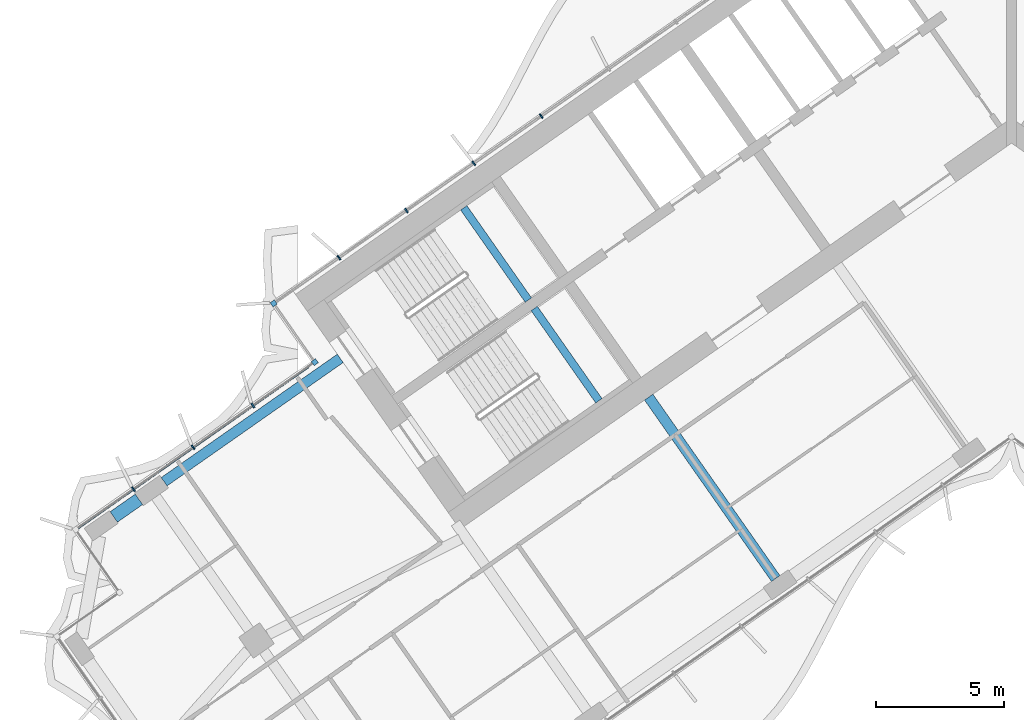
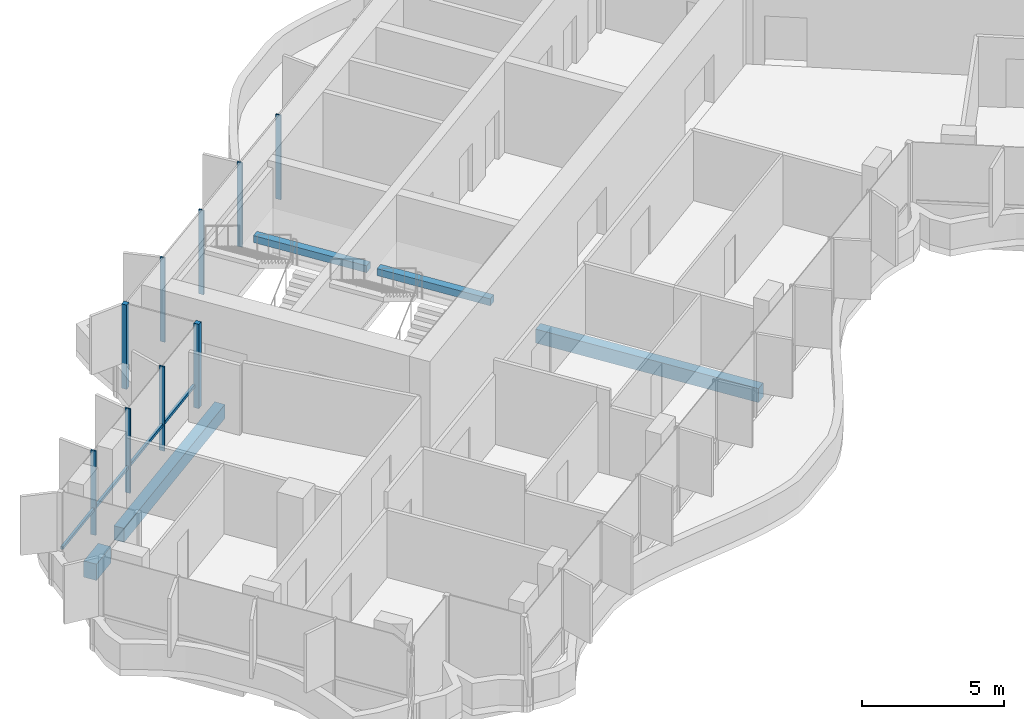
# One storey, part 4 of 23: 10 members, 5 beams, 2 elements without a shape of their own.
"""IFC4 building model written with IfcOpenShell, lengths in metres."""

from ifc_helpers import new_model, si_unit, direction, frame, origin, origin_2d, place, context, subcontext, project, spatial, rectangle, extrude, material, material_profile, profile_set, type_object, element, aggregate, save


model = new_model("IFC4")

# Units and contexts
model_context = context("Model", 3, precision=1e-05, world=origin(), true_north=direction((0.0, 1.0)))
body_context = subcontext(model_context, "Body", "Model", "MODEL_VIEW")
ifc_project = project(units=[si_unit("LENGTHUNIT", "METRE"), si_unit("AREAUNIT", "SQUARE_METRE"), si_unit("VOLUMEUNIT", "CUBIC_METRE"), si_unit("PLANEANGLEUNIT", "RADIAN"), si_unit("MASSUNIT", "GRAM", prefix="KILO")], contexts=[model_context])

# Site, building, storey
site_placement = place(None, origin())
site = spatial("IfcSite", under=ifc_project, at=site_placement, CompositionType="ELEMENT")
building_placement = place(site_placement, origin())
building = spatial("IfcBuilding", under=site, at=building_placement, Name="Tel Ilan Convention Tower", CompositionType="ELEMENT")
storey_placement = place(building_placement, frame((0.0, 0.0, 190.5)))
storey = spatial("IfcBuildingStorey", under=building, at=storey_placement, Name="L44", CompositionType="ELEMENT", Elevation=190.5)

# Beams
ifc_material_1 = material(Name="Concrete C40/50", Category="concrete")
ifc_material_profile_1 = material_profile(ifc_material_1, rectangle(XDim=0.39990234375, YDim=0.60009765625, at=origin_2d()), Name="RC 400x600")
ifc_profile_set_1 = profile_set([ifc_material_profile_1], Name="Concrete C40/50")
beam_type_1 = type_object("IfcBeamType", Name="Beam RC 400x600 Concrete C40/50", PredefinedType="BEAM", material=ifc_profile_set_1)
beam_1_placement = place(storey_placement, frame((-33.09912109375, -14.44775390625, -0.580078125), z_axis=(0.819147254605, 0.573583276668, 0.0), x_axis=(-0.573583276668, 0.819147254605, 0.0)))
element("IfcBeam", 1, at=beam_1_placement, inside=storey, type_object=beam_type_1, Name="L44 beam W-W-B4-core", PredefinedType="BEAM", context=body_context, shape_type="SweptSolid", body=[
    extrude(rectangle(XDim=0.39990234375, YDim=0.60009765625, at=origin_2d()), origin(), (0.0, 0.0, 1.0), 8.400146484375),
])
beam_2_placement = place(storey_placement, frame((-9.209716796875, -18.229248046875, -0.580078125), z_axis=(-0.573574099654, 0.819153680457, 0.0), x_axis=(-0.819153680457, -0.573574099654, 0.0)))
element("IfcBeam", 2, at=beam_2_placement, inside=storey, type_object=beam_type_1, Name="L44 beam W-W-F2-core", PredefinedType="BEAM", context=body_context, shape_type="SweptSolid", body=[
    extrude(rectangle(XDim=0.39990234375, YDim=0.60009765625, at=origin_2d()), origin(), (0.0, 0.0, 1.0), 8.64990234375),
])
ifc_material_2 = material(Name="Concrete C40/50", Category="concrete")
ifc_material_profile_2 = material_profile(ifc_material_2, rectangle(XDim=0.5, YDim=0.699951171875, at=origin_2d()), Name="RC 500x700")
ifc_profile_set_2 = profile_set([ifc_material_profile_2], Name="Concrete C40/50")
beam_type_2 = type_object("IfcBeamType", Name="Beam RC 500x700 Concrete C40/50", PredefinedType="BEAM", material=ifc_profile_set_2)
beam_3_placement = place(storey_placement, frame((-35.06494140625, -15.82421875, -0.6298828125), z_axis=(0.819155442668, 0.573571582932, 0.0), x_axis=(-0.573571582932, 0.819155442668, 0.0)))
element("IfcBeam", 3, at=beam_3_placement, inside=storey, type_object=beam_type_2, Name="L44 beam W-W-BC-W-B4", PredefinedType="BEAM", context=body_context, shape_type="SweptSolid", body=[
    extrude(rectangle(XDim=0.5, YDim=0.699951171875, at=origin_2d()), origin(), (0.0, 0.0, 1.0), 1.199951171875),
])

# Curtain wall, members
ifc_material_3 = material(Name="Aluminium, bronze anodised", Category="aluminium")
curtain_wall_type_1 = type_object("IfcCurtainWallType", Name="CW2 STICK CURTAIN WALL, SPANDREL PANELS", PredefinedType="NOTDEFINED", material=ifc_material_3)
curtain_wall_1_placement = place(storey_placement, origin())
curtain_wall_1 = element("IfcCurtainWall", 4, at=curtain_wall_1_placement, inside=storey, type_object=curtain_wall_type_1, Name="Curtain wall CW2-34.03", PredefinedType="NOTDEFINED")
ifc_material_4 = material(Name="Aluminium, bronze anodised", Category="aluminium")
ifc_material_profile_3 = material_profile(ifc_material_4, rectangle(XDim=0.199951171875, YDim=0.199951171875, at=origin_2d()), Name="CW CORNER MULLION 200x200")
ifc_profile_set_3 = profile_set([ifc_material_profile_3], Name="Aluminium, bronze anodised")
member_type_1 = type_object("IfcMemberType", Name="CW CORNER MULLION 200x200", PredefinedType="MULLION", material=ifc_profile_set_3)
member_1_placement = place(storey_placement, frame((-28.819580078125, -7.483642578125, 0.0), z_axis=(0.0, 0.0, 1.0), x_axis=(-0.819152044289, -0.573576436351, 0.0)))
member_1 = element("IfcMember", 5, at=member_1_placement, type_object=member_type_1, Name="Corner mullion", PredefinedType="MULLION", context=body_context, shape_type="SweptSolid", body=[
    extrude(rectangle(XDim=0.199951171875, YDim=0.199951171875, at=origin_2d()), origin(), (0.0, 0.0, 1.0), 3.6201171875),
])
member_2_placement = place(storey_placement, frame((-27.213623046875, -9.77734375, 0.0), z_axis=(0.0, 0.0, 1.0), x_axis=(0.573576436351, -0.819152044289, 0.0)))
member_2 = element("IfcMember", 6, at=member_2_placement, type_object=member_type_1, Name="Corner mullion", PredefinedType="MULLION", context=body_context, shape_type="SweptSolid", body=[
    extrude(rectangle(XDim=0.199951171875, YDim=0.199951171875, at=origin_2d()), origin(), (0.0, 0.0, 1.0), 3.6201171875),
])
ifc_material_5 = material(Name="Aluminium, bronze anodised", Category="aluminium")
ifc_material_profile_4 = material_profile(ifc_material_5, rectangle(XDim=0.06005859375, YDim=0.199951171875, at=origin_2d()), Name="CW MULLION 60x200")
ifc_profile_set_4 = profile_set([ifc_material_profile_4], Name="Aluminium, bronze anodised")
member_type_2 = type_object("IfcMemberType", Name="CW MULLION 60x200", PredefinedType="MULLION", material=ifc_profile_set_4)
member_3_placement = place(storey_placement, frame((-18.37109375, -0.16748046875, 0.0), z_axis=(0.0, 0.0, 1.0), x_axis=(-0.819152044289, -0.573576436351, 0.0)))
member_3 = element("IfcMember", 7, at=member_3_placement, type_object=member_type_2, Name="Mullion", PredefinedType="MULLION", context=body_context, shape_type="SweptSolid", body=[
    extrude(rectangle(XDim=0.06005859375, YDim=0.199951171875, at=origin_2d()), origin(), (0.0, 0.0, 1.0), 3.6201171875),
])
member_4_placement = place(storey_placement, frame((-21.003662109375, -2.0107421875, 0.0), z_axis=(0.0, 0.0, 1.0), x_axis=(-0.819152044289, -0.573576436351, 0.0)))
member_4 = element("IfcMember", 8, at=member_4_placement, type_object=member_type_2, Name="Mullion", PredefinedType="MULLION", context=body_context, shape_type="SweptSolid", body=[
    extrude(rectangle(XDim=0.06005859375, YDim=0.199951171875, at=origin_2d()), origin(), (0.0, 0.0, 1.0), 3.6201171875),
])
member_5_placement = place(storey_placement, frame((-23.63623046875, -3.854248046875, 0.0), z_axis=(0.0, 0.0, 1.0), x_axis=(-0.819152044289, -0.573576436351, 0.0)))
member_5 = element("IfcMember", 9, at=member_5_placement, type_object=member_type_2, Name="Mullion", PredefinedType="MULLION", context=body_context, shape_type="SweptSolid", body=[
    extrude(rectangle(XDim=0.06005859375, YDim=0.199951171875, at=origin_2d()), origin(), (0.0, 0.0, 1.0), 3.6201171875),
])
member_6_placement = place(storey_placement, frame((-26.268798828125, -5.697509765625, 0.0), z_axis=(0.0, 0.0, 1.0), x_axis=(-0.819152044289, -0.573576436351, 0.0)))
member_6 = element("IfcMember", 10, at=member_6_placement, type_object=member_type_2, Name="Mullion", PredefinedType="MULLION", context=body_context, shape_type="SweptSolid", body=[
    extrude(rectangle(XDim=0.06005859375, YDim=0.199951171875, at=origin_2d()), origin(), (0.0, 0.0, 1.0), 3.6201171875),
])
aggregate(curtain_wall_1, [member_3, member_4, member_5, member_6, member_1, member_2])

ifc_material_6 = material(Name="Aluminium, bronze anodised", Category="aluminium")
curtain_wall_type_2 = type_object("IfcCurtainWallType", Name="CW4 STICK CURTAIN WALL, OFFICE TINTED GLASS", PredefinedType="NOTDEFINED", material=ifc_material_6)
curtain_wall_2_placement = place(storey_placement, origin())
curtain_wall_2 = element("IfcCurtainWall", 11, at=curtain_wall_2_placement, inside=storey, type_object=curtain_wall_type_2, Name="Curtain wall CW4-34.04", PredefinedType="NOTDEFINED")
member_7_placement = place(storey_placement, frame((-29.630126953125, -11.46923828125, 0.0), z_axis=(0.0, 0.0, 1.0), x_axis=(-0.819152044289, -0.573576436351, 0.0)))
member_7 = element("IfcMember", 12, at=member_7_placement, type_object=member_type_2, Name="Mullion", PredefinedType="MULLION", context=body_context, shape_type="SweptSolid", body=[
    extrude(rectangle(XDim=0.06005859375, YDim=0.199951171875, at=origin_2d()), origin(), (0.0, 0.0, 1.0), 3.6201171875),
])
member_8_placement = place(storey_placement, frame((-31.964599609375, -13.10400390625, 0.0), z_axis=(0.0, 0.0, 1.0), x_axis=(-0.819152044289, -0.573576436351, 0.0)))
member_8 = element("IfcMember", 13, at=member_8_placement, type_object=member_type_2, Name="Mullion", PredefinedType="MULLION", context=body_context, shape_type="SweptSolid", body=[
    extrude(rectangle(XDim=0.06005859375, YDim=0.199951171875, at=origin_2d()), origin(), (0.0, 0.0, 1.0), 3.6201171875),
])
member_9_placement = place(storey_placement, frame((-34.299072265625, -14.73876953125, 0.0), z_axis=(0.0, 0.0, 1.0), x_axis=(-0.819152044289, -0.573576436351, 0.0)))
member_9 = element("IfcMember", 14, at=member_9_placement, type_object=member_type_2, Name="Mullion", PredefinedType="MULLION", context=body_context, shape_type="SweptSolid", body=[
    extrude(rectangle(XDim=0.06005859375, YDim=0.199951171875, at=origin_2d()), origin(), (0.0, 0.0, 1.0), 3.6201171875),
])
ifc_material_7 = material(Name="Aluminium, bronze anodised", Category="aluminium")
ifc_material_profile_5 = material_profile(ifc_material_7, rectangle(XDim=0.10009765625, YDim=0.1201171875, at=origin_2d()), Name="CW TRANSOM 100x120")
ifc_profile_set_5 = profile_set([ifc_material_profile_5], Name="Aluminium, bronze anodised")
member_type_3 = type_object("IfcMemberType", Name="CW TRANSOM 100x120", PredefinedType="USERDEFINED", material=ifc_profile_set_5)
member_10_placement = place(storey_placement, frame((-27.459228515625, -9.94921875, 1.10009765625), z_axis=(-0.819154753687, -0.57357256691, 0.0), x_axis=(0.57357256691, -0.819154753687, 0.0)))
member_10 = element("IfcMember", 15, at=member_10_placement, type_object=member_type_3, Name="Transom", ObjectType="TRANSOM", PredefinedType="USERDEFINED", context=body_context, shape_type="SweptSolid", body=[
    extrude(rectangle(XDim=0.10009765625, YDim=0.1201171875, at=origin_2d()), origin(), (0.0, 0.0, 1.0), 11.0),
])
aggregate(curtain_wall_2, [member_7, member_8, member_9, member_10])

# Beams
ifc_material_8 = material(Name="Concrete C40/50", Category="concrete")
ifc_material_profile_6 = material_profile(ifc_material_8, rectangle(XDim=0.300048828125, YDim=0.300048828125, at=origin_2d()), Name="RC 300x300")
ifc_profile_set_6 = profile_set([ifc_material_profile_6], Name="Concrete C40/50")
beam_type_3 = type_object("IfcBeamType", Name="Landing Beam RC 300x300 Concrete C40/50", PredefinedType="BEAM", material=ifc_profile_set_6)
beam_4_placement = place(storey_placement, frame((-18.870361328125, -7.353515625, 1.60009765625), z_axis=(-0.57354426506, 0.819174569928, 0.0), x_axis=(-0.819174569928, -0.57354426506, 0.0)))
element("IfcBeam", 16, at=beam_4_placement, inside=storey, type_object=beam_type_3, Name="S1 landing beam L44.1", PredefinedType="BEAM", context=body_context, shape_type="SweptSolid", body=[
    extrude(rectangle(XDim=0.300048828125, YDim=0.300048828125, at=origin_2d()), origin(), (0.0, 0.0, 1.0), 4.400146484375),
])
beam_5_placement = place(storey_placement, frame((-16.1171875, -11.285400390625, 1.60009765625), z_axis=(-0.573570334442, 0.819156316858, 0.0), x_axis=(-0.819156316858, -0.573570334442, 0.0)))
element("IfcBeam", 17, at=beam_5_placement, inside=storey, type_object=beam_type_3, Name="S2 landing beam L44.1", PredefinedType="BEAM", context=body_context, shape_type="SweptSolid", body=[
    extrude(rectangle(XDim=0.300048828125, YDim=0.300048828125, at=origin_2d()), origin(), (0.0, 0.0, 1.0), 4.39990234375),
])

save(model, "model.ifc")
